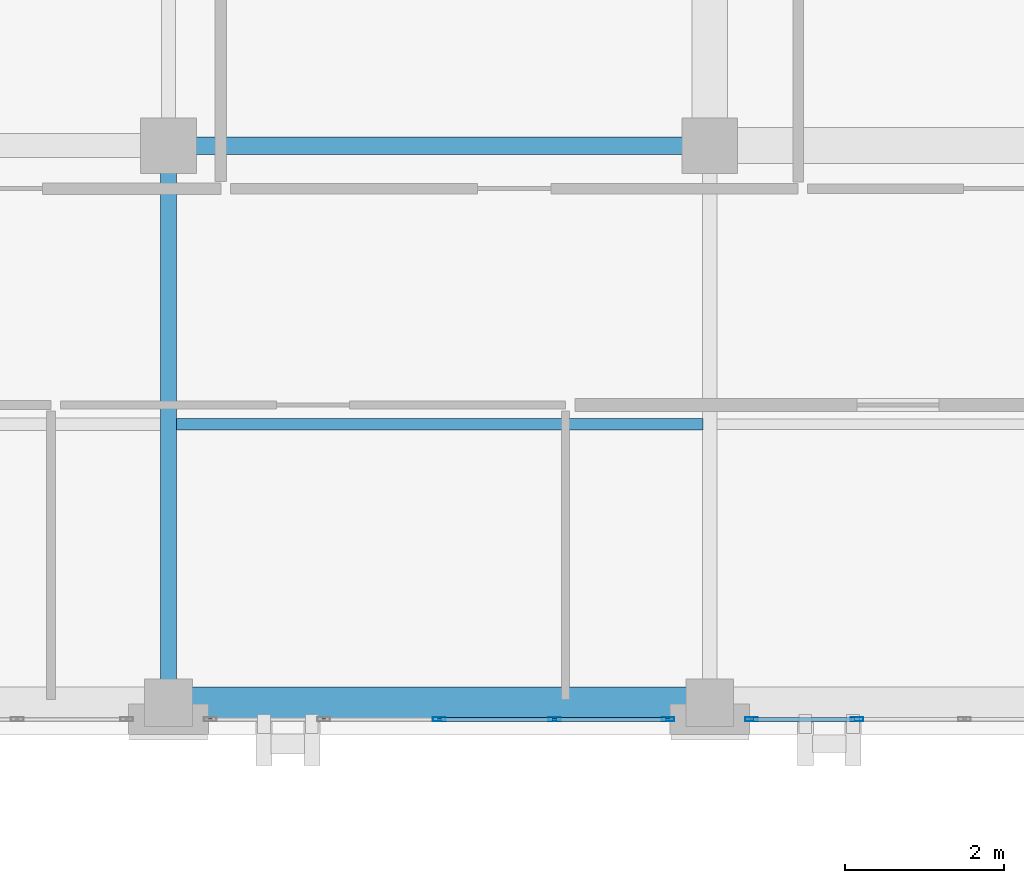
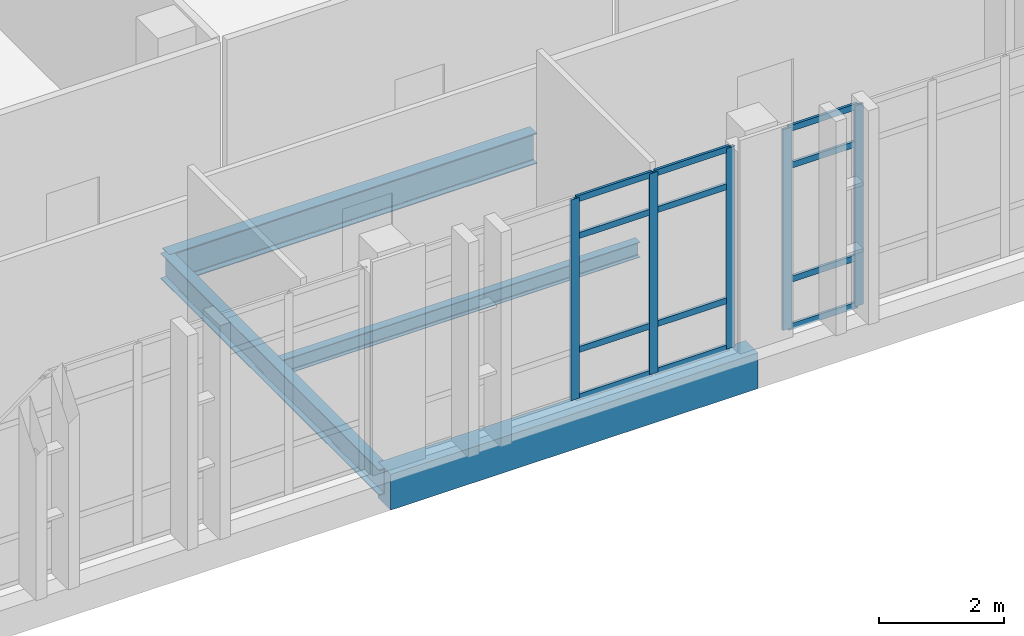
# One storey, part 42 of 90: 17 members, 4 beams, 2 elements without a shape of their own.
"""IFC4 building model written with IfcOpenShell, lengths in metres."""

from ifc_helpers import new_model, si_unit, direction, frame, origin, origin_2d, place, context, subcontext, project, spatial, rectangle, hollow_rectangle, i_section, extrude, material, layer, layer_set, material_profile, profile_set, type_object, element, aggregate, save


model = new_model("IFC4")

# Units and contexts
model_context = context("Model", 3, precision=1e-05, world=origin(), true_north=direction((0.0, 1.0)))
body_context = subcontext(model_context, "Body", "Model", "MODEL_VIEW")
ifc_project = project(units=[si_unit("LENGTHUNIT", "METRE"), si_unit("AREAUNIT", "SQUARE_METRE"), si_unit("VOLUMEUNIT", "CUBIC_METRE"), si_unit("PLANEANGLEUNIT", "RADIAN"), si_unit("MASSUNIT", "GRAM", prefix="KILO")], contexts=[model_context])

# Site, building, storey
site_placement = place(None, origin())
site = spatial("IfcSite", under=ifc_project, at=site_placement, CompositionType="ELEMENT")
building_placement = place(site_placement, origin())
building = spatial("IfcBuilding", under=site, at=building_placement, Name="Qalavern Law Courts", CompositionType="ELEMENT")
storey_placement = place(building_placement, frame((0.0, 0.0, 22.800048828125)))
storey = spatial("IfcBuildingStorey", under=building, at=storey_placement, Name="L05", CompositionType="ELEMENT", Elevation=22.800048828125)

# Curtain wall, members
ifc_material_1 = material(Name="Anodised aluminium and insulated glazing", Category="aluminium")
ifc_layer = layer(ifc_material_1, 0.166015625)
ifc_layer_set = layer_set([ifc_layer], Name="Anodised aluminium and insulated glazing")
curtain_wall_type = type_object("IfcCurtainWallType", Name="ENV-CW-LIB", PredefinedType="USERDEFINED", material=ifc_layer_set)
curtain_wall_1_placement = place(storey_placement, origin())
curtain_wall_1 = element("IfcCurtainWall", 1, at=curtain_wall_1_placement, inside=storey, type_object=curtain_wall_type, Name="V5 unitised curtain wall L05 south 4", ObjectType="UNITISED CURTAIN WALL", PredefinedType="USERDEFINED")
ifc_material_2 = material(Name="Anodised aluminium", Category="aluminium")
ifc_material_profile_1 = material_profile(ifc_material_2, hollow_rectangle(XDim=0.048095703125, YDim=0.159912109375, WallThickness=0.00390625, at=origin_2d()), Name="ALU MULLION 48x160")
ifc_profile_set_1 = profile_set([ifc_material_profile_1], Name="Anodised aluminium")
member_type_1 = type_object("IfcMemberType", Name="ENV-CWM-48x160", PredefinedType="MULLION", material=ifc_profile_set_1)
member_1_placement = place(storey_placement, frame((48.199951171875, 96.392578125, 0.0), z_axis=(0.0, 0.0, 1.0), x_axis=(0.0, 1.0, 0.0)))
member_1 = element("IfcMember", 2, at=member_1_placement, type_object=member_type_1, Name="CW-05 mullion 3", PredefinedType="MULLION", context=body_context, shape_type="SweptSolid", body=[
    extrude(hollow_rectangle(XDim=0.048095703125, YDim=0.159912109375, WallThickness=0.00390625, at=origin_2d()), origin(), (0.0, 0.0, 1.0), 3.929931640625),
])
member_2_placement = place(storey_placement, frame((49.64990234375, 96.392578125, 0.0), z_axis=(0.0, 0.0, 1.0), x_axis=(0.0, 1.0, 0.0)))
member_2 = element("IfcMember", 3, at=member_2_placement, type_object=member_type_1, Name="CW-05 mullion 4", PredefinedType="MULLION", context=body_context, shape_type="SweptSolid", body=[
    extrude(hollow_rectangle(XDim=0.048095703125, YDim=0.159912109375, WallThickness=0.00390625, at=origin_2d()), origin(), (0.0, 0.0, 1.0), 3.929931640625),
])
member_3_placement = place(storey_placement, frame((51.075927734375, 96.392578125, 0.0), z_axis=(0.0, 0.0, 1.0), x_axis=(0.0, 1.0, 0.0)))
member_3 = element("IfcMember", 4, at=member_3_placement, type_object=member_type_1, Name="CW-05 mullion 5", PredefinedType="MULLION", context=body_context, shape_type="SweptSolid", body=[
    extrude(hollow_rectangle(XDim=0.048095703125, YDim=0.159912109375, WallThickness=0.00390625, at=origin_2d()), origin(), (0.0, 0.0, 1.0), 3.929931640625),
])

curtain_wall_2_placement = place(storey_placement, origin())
curtain_wall_2 = element("IfcCurtainWall", 5, at=curtain_wall_2_placement, inside=storey, type_object=curtain_wall_type, Name="V5 unitised curtain wall L05 south 5", ObjectType="UNITISED CURTAIN WALL", PredefinedType="USERDEFINED")
member_4_placement = place(storey_placement, frame((52.1240234375, 96.392578125, 0.0), z_axis=(0.0, 0.0, 1.0), x_axis=(0.0, 1.0, 0.0)))
member_4 = element("IfcMember", 6, at=member_4_placement, type_object=member_type_1, Name="CW-05 mullion 1", PredefinedType="MULLION", context=body_context, shape_type="SweptSolid", body=[
    extrude(hollow_rectangle(XDim=0.048095703125, YDim=0.159912109375, WallThickness=0.00390625, at=origin_2d()), origin(), (0.0, 0.0, 1.0), 3.929931640625),
])
member_5_placement = place(storey_placement, frame((53.449951171875, 96.392578125, 0.0), z_axis=(0.0, 0.0, 1.0), x_axis=(0.0, 1.0, 0.0)))
member_5 = element("IfcMember", 7, at=member_5_placement, type_object=member_type_1, Name="CW-05 mullion 2", PredefinedType="MULLION", context=body_context, shape_type="SweptSolid", body=[
    extrude(hollow_rectangle(XDim=0.048095703125, YDim=0.159912109375, WallThickness=0.00390625, at=origin_2d()), origin(), (0.0, 0.0, 1.0), 3.929931640625),
])

# Member
ifc_material_profile_2 = material_profile(ifc_material_2, hollow_rectangle(XDim=0.048095703125, YDim=0.1201171875, WallThickness=0.00390625, at=origin_2d()), Name="ALU TRANSOM 48x120")
ifc_profile_set_2 = profile_set([ifc_material_profile_2], Name="Anodised aluminium")
member_type_2 = type_object("IfcMemberType", Name="ENV-CWT-48x120", PredefinedType="USERDEFINED", material=ifc_profile_set_2)
member_6_placement = place(storey_placement, frame((48.22412109375, 96.392578125, 0.02392578125), z_axis=(1.0, 0.0, 0.0), x_axis=(0.0, 1.0, 0.0)))
member_6 = element("IfcMember", 8, at=member_6_placement, type_object=member_type_2, Name="CW-05 transom 3.1", ObjectType="TRANSOM", PredefinedType="USERDEFINED", context=body_context, shape_type="SweptSolid", body=[
    extrude(hollow_rectangle(XDim=0.048095703125, YDim=0.1201171875, WallThickness=0.00390625, at=origin_2d()), origin(), (0.0, 0.0, 1.0), 1.40185546875),
])

member_7_placement = place(storey_placement, frame((48.22412109375, 96.392578125, 0.949951171875), z_axis=(1.0, 0.0, 0.0), x_axis=(0.0, 1.0, 0.0)))
member_7 = element("IfcMember", 9, at=member_7_placement, type_object=member_type_2, Name="CW-05 transom 3.2", ObjectType="TRANSOM", PredefinedType="USERDEFINED", context=body_context, shape_type="SweptSolid", body=[
    extrude(hollow_rectangle(XDim=0.048095703125, YDim=0.1201171875, WallThickness=0.00390625, at=origin_2d()), origin(), (0.0, 0.0, 1.0), 1.40185546875),
])

member_8_placement = place(storey_placement, frame((48.22412109375, 96.392578125, 3.179931640625), z_axis=(1.0, 0.0, 0.0), x_axis=(0.0, 1.0, 0.0)))
member_8 = element("IfcMember", 10, at=member_8_placement, type_object=member_type_2, Name="CW-05 transom 3.3", ObjectType="TRANSOM", PredefinedType="USERDEFINED", context=body_context, shape_type="SweptSolid", body=[
    extrude(hollow_rectangle(XDim=0.048095703125, YDim=0.1201171875, WallThickness=0.00390625, at=origin_2d()), origin(), (0.0, 0.0, 1.0), 1.40185546875),
])

member_9_placement = place(storey_placement, frame((48.22412109375, 96.392578125, 3.906005859375), z_axis=(1.0, 0.0, 0.0), x_axis=(0.0, 1.0, 0.0)))
member_9 = element("IfcMember", 11, at=member_9_placement, type_object=member_type_2, Name="CW-05 transom 3.4", ObjectType="TRANSOM", PredefinedType="USERDEFINED", context=body_context, shape_type="SweptSolid", body=[
    extrude(hollow_rectangle(XDim=0.048095703125, YDim=0.1201171875, WallThickness=0.00390625, at=origin_2d()), origin(), (0.0, 0.0, 1.0), 1.40185546875),
])

member_10_placement = place(storey_placement, frame((49.674072265625, 96.392578125, 0.02392578125), z_axis=(1.0, 0.0, 0.0), x_axis=(0.0, 1.0, 0.0)))
member_10 = element("IfcMember", 12, at=member_10_placement, type_object=member_type_2, Name="CW-05 transom 4.1", ObjectType="TRANSOM", PredefinedType="USERDEFINED", context=body_context, shape_type="SweptSolid", body=[
    extrude(hollow_rectangle(XDim=0.048095703125, YDim=0.1201171875, WallThickness=0.00390625, at=origin_2d()), origin(), (0.0, 0.0, 1.0), 1.3779296875),
])

member_11_placement = place(storey_placement, frame((49.674072265625, 96.392578125, 0.949951171875), z_axis=(1.0, 0.0, 0.0), x_axis=(0.0, 1.0, 0.0)))
member_11 = element("IfcMember", 13, at=member_11_placement, type_object=member_type_2, Name="CW-05 transom 4.2", ObjectType="TRANSOM", PredefinedType="USERDEFINED", context=body_context, shape_type="SweptSolid", body=[
    extrude(hollow_rectangle(XDim=0.048095703125, YDim=0.1201171875, WallThickness=0.00390625, at=origin_2d()), origin(), (0.0, 0.0, 1.0), 1.3779296875),
])

member_12_placement = place(storey_placement, frame((49.674072265625, 96.392578125, 3.179931640625), z_axis=(1.0, 0.0, 0.0), x_axis=(0.0, 1.0, 0.0)))
member_12 = element("IfcMember", 14, at=member_12_placement, type_object=member_type_2, Name="CW-05 transom 4.3", ObjectType="TRANSOM", PredefinedType="USERDEFINED", context=body_context, shape_type="SweptSolid", body=[
    extrude(hollow_rectangle(XDim=0.048095703125, YDim=0.1201171875, WallThickness=0.00390625, at=origin_2d()), origin(), (0.0, 0.0, 1.0), 1.3779296875),
])

member_13_placement = place(storey_placement, frame((49.674072265625, 96.392578125, 3.906005859375), z_axis=(1.0, 0.0, 0.0), x_axis=(0.0, 1.0, 0.0)))
member_13 = element("IfcMember", 15, at=member_13_placement, type_object=member_type_2, Name="CW-05 transom 4.4", ObjectType="TRANSOM", PredefinedType="USERDEFINED", context=body_context, shape_type="SweptSolid", body=[
    extrude(hollow_rectangle(XDim=0.048095703125, YDim=0.1201171875, WallThickness=0.00390625, at=origin_2d()), origin(), (0.0, 0.0, 1.0), 1.3779296875),
])

aggregate(curtain_wall_1, [member_1, member_2, member_3, member_6, member_7, member_8, member_9, member_10, member_11, member_12, member_13])

member_14_placement = place(storey_placement, frame((52.14794921875, 96.392578125, 0.02392578125), z_axis=(1.0, 0.0, 0.0), x_axis=(0.0, 1.0, 0.0)))
member_14 = element("IfcMember", 16, at=member_14_placement, type_object=member_type_2, Name="CW-05 transom 1.1", ObjectType="TRANSOM", PredefinedType="USERDEFINED", context=body_context, shape_type="SweptSolid", body=[
    extrude(hollow_rectangle(XDim=0.048095703125, YDim=0.1201171875, WallThickness=0.00390625, at=origin_2d()), origin(), (0.0, 0.0, 1.0), 1.278076171875),
])

member_15_placement = place(storey_placement, frame((52.14794921875, 96.392578125, 0.949951171875), z_axis=(1.0, 0.0, 0.0), x_axis=(0.0, 1.0, 0.0)))
member_15 = element("IfcMember", 17, at=member_15_placement, type_object=member_type_2, Name="CW-05 transom 1.2", ObjectType="TRANSOM", PredefinedType="USERDEFINED", context=body_context, shape_type="SweptSolid", body=[
    extrude(hollow_rectangle(XDim=0.048095703125, YDim=0.1201171875, WallThickness=0.00390625, at=origin_2d()), origin(), (0.0, 0.0, 1.0), 1.278076171875),
])

member_16_placement = place(storey_placement, frame((52.14794921875, 96.392578125, 3.179931640625), z_axis=(1.0, 0.0, 0.0), x_axis=(0.0, 1.0, 0.0)))
member_16 = element("IfcMember", 18, at=member_16_placement, type_object=member_type_2, Name="CW-05 transom 1.3", ObjectType="TRANSOM", PredefinedType="USERDEFINED", context=body_context, shape_type="SweptSolid", body=[
    extrude(hollow_rectangle(XDim=0.048095703125, YDim=0.1201171875, WallThickness=0.00390625, at=origin_2d()), origin(), (0.0, 0.0, 1.0), 1.278076171875),
])

member_17_placement = place(storey_placement, frame((52.14794921875, 96.392578125, 3.906005859375), z_axis=(1.0, 0.0, 0.0), x_axis=(0.0, 1.0, 0.0)))
member_17 = element("IfcMember", 19, at=member_17_placement, type_object=member_type_2, Name="CW-05 transom 1.4", ObjectType="TRANSOM", PredefinedType="USERDEFINED", context=body_context, shape_type="SweptSolid", body=[
    extrude(hollow_rectangle(XDim=0.048095703125, YDim=0.1201171875, WallThickness=0.00390625, at=origin_2d()), origin(), (0.0, 0.0, 1.0), 1.278076171875),
])

aggregate(curtain_wall_2, [member_4, member_5, member_14, member_15, member_16, member_17])

# Beams
ifc_material_3 = material(Name="Steel S355", Category="steel")
ifc_material_profile_3 = material_profile(ifc_material_3, i_section(OverallWidth=0.199951171875, OverallDepth=0.5, WebThickness=0.01025390625, FlangeThickness=0.01611328125, FilletRadius=0.02099609375, at=origin_2d()), Name="IPE 500")
ifc_profile_set_3 = profile_set([ifc_material_profile_3], Name="Steel S355")
beam_type_1 = type_object("IfcBeamType", Name="STR-BM-IPE500", PredefinedType="BEAM", material=ifc_profile_set_3)
beam_1_placement = place(storey_placement, frame((44.800048828125, 96.60009765625, -0.546142578125), z_axis=(0.0, 1.0, 0.0), x_axis=(-1.0, 0.0, 0.0)))
element("IfcBeam", 20, at=beam_1_placement, inside=storey, type_object=beam_type_1, Name="V5 Y-beam 3-1 L05", PredefinedType="BEAM", context=body_context, shape_type="SweptSolid", body=[
    extrude(i_section(OverallWidth=0.199951171875, OverallDepth=0.5, WebThickness=0.01025390625, FlangeThickness=0.01611328125, FilletRadius=0.02099609375, at=origin_2d()), origin(), (0.0, 0.0, 1.0), 7.0),
])
ifc_material_profile_4 = material_profile(ifc_material_3, i_section(OverallWidth=0.219970703125, OverallDepth=0.60009765625, WebThickness=0.011962890625, FlangeThickness=0.01904296875, FilletRadius=0.02392578125, at=origin_2d()), Name="IPE 600")
ifc_profile_set_4 = profile_set([ifc_material_profile_4], Name="Steel S355")
beam_type_2 = type_object("IfcBeamType", Name="STR-BM-IPE600", PredefinedType="BEAM", material=ifc_profile_set_4)
beam_2_placement = place(storey_placement, frame((44.800048828125, 103.60009765625, -0.595947265625), z_axis=(1.0, 0.0, 0.0), x_axis=(0.0, 1.0, 0.0)))
element("IfcBeam", 21, at=beam_2_placement, inside=storey, type_object=beam_type_2, Name="V5 X-beam 2-3 L05", PredefinedType="BEAM", context=body_context, shape_type="SweptSolid", body=[
    extrude(i_section(OverallWidth=0.219970703125, OverallDepth=0.60009765625, WebThickness=0.011962890625, FlangeThickness=0.01904296875, FilletRadius=0.02392578125, at=origin_2d()), origin(), (0.0, 0.0, 1.0), 6.800048828125),
])
ifc_material_profile_5 = material_profile(ifc_material_3, i_section(OverallWidth=0.14990234375, OverallDepth=0.300048828125, WebThickness=0.007080078125, FlangeThickness=0.0107421875, FilletRadius=0.014892578125, at=origin_2d()), Name="IPE 300")
ifc_profile_set_5 = profile_set([ifc_material_profile_5], Name="Steel S355")
beam_type_3 = type_object("IfcBeamType", Name="STR-JST-IPE300", PredefinedType="JOIST", material=ifc_profile_set_5)
beam_3_placement = place(storey_placement, frame((44.89794921875, 100.10009765625, -0.446044921875), z_axis=(1.0, 0.0, 0.0), x_axis=(0.0, 1.0, 0.0)))
element("IfcBeam", 22, at=beam_3_placement, inside=storey, type_object=beam_type_3, Name="V5 secondary joist 3.1.1 L05", PredefinedType="JOIST", context=body_context, shape_type="SweptSolid", body=[
    extrude(i_section(OverallWidth=0.14990234375, OverallDepth=0.300048828125, WebThickness=0.007080078125, FlangeThickness=0.0107421875, FilletRadius=0.014892578125, at=origin_2d()), origin(), (0.0, 0.0, 1.0), 6.614013671875),
])
ifc_material_4 = material(Name="Concrete C40/50", Category="concrete")
ifc_material_profile_6 = material_profile(ifc_material_4, rectangle(XDim=0.39990234375, YDim=0.699951171875, at=origin_2d()), Name="RC 400x700")
ifc_profile_set_6 = profile_set([ifc_material_profile_6], Name="Concrete C40/50")
beam_type_4 = type_object("IfcBeamType", Name="STR-SP-RC400x700", PredefinedType="SPANDREL", material=ifc_profile_set_6)
beam_4_placement = place(storey_placement, frame((44.800048828125, 96.60009765625, -0.64599609375), z_axis=(1.0, 0.0, 0.0), x_axis=(0.0, 1.0, 0.0)))
element("IfcBeam", 23, at=beam_4_placement, inside=storey, type_object=beam_type_4, Name="V5 X-beam 1-3 L05", PredefinedType="SPANDREL", context=body_context, shape_type="SweptSolid", body=[
    extrude(rectangle(XDim=0.39990234375, YDim=0.699951171875, at=origin_2d()), origin(), (0.0, 0.0, 1.0), 6.800048828125),
])

save(model, "model.ifc")
